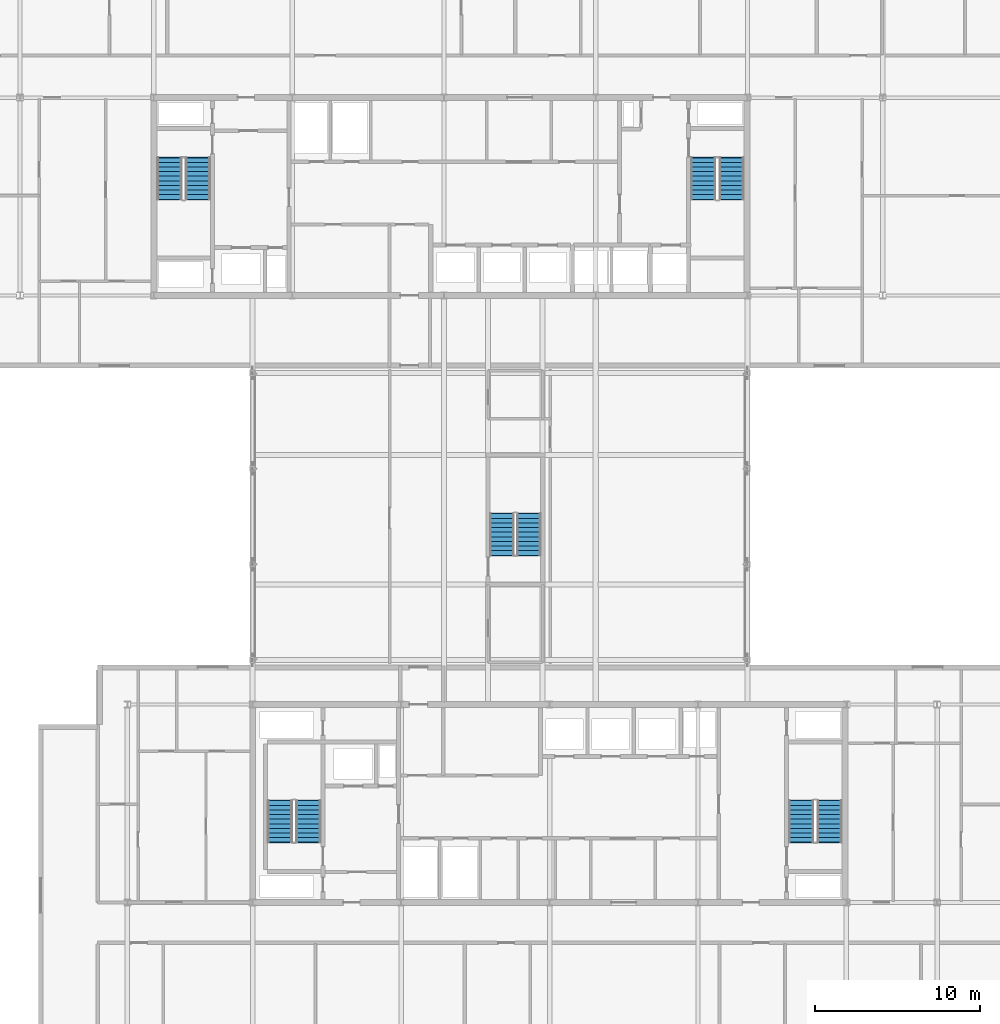
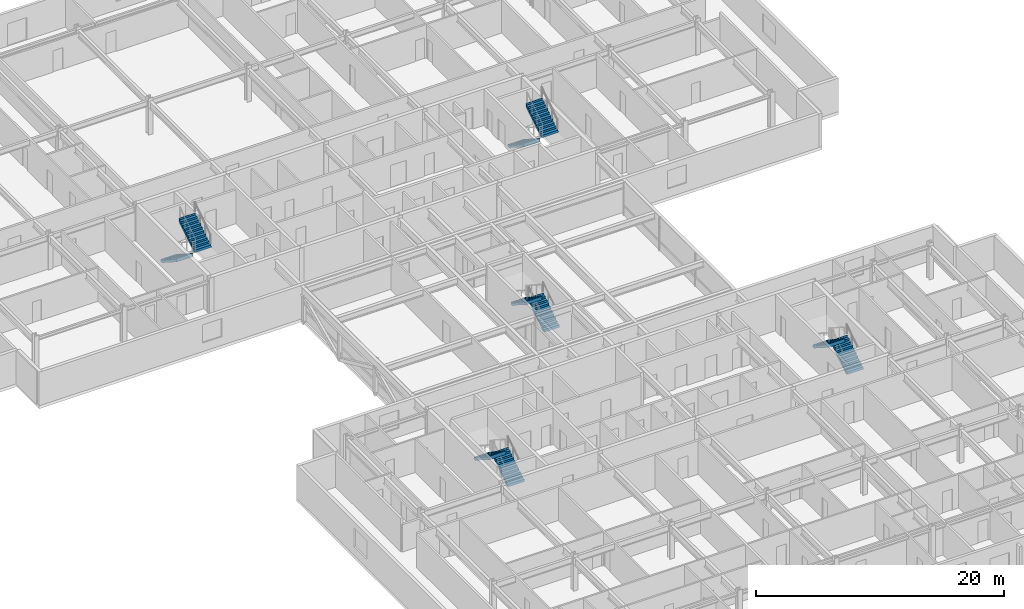
# One storey, part 30 of 36: 10 stair flights, 5 elements without a shape of their own.
"""IFC4 building model written with IfcOpenShell, lengths in metres."""

from ifc_helpers import new_model, si_unit, direction, frame, origin, place, context, subcontext, project, spatial, polyline, outline, extrude, material, type_object, element, aggregate, save


model = new_model("IFC4")

# Units and contexts
model_context = context("Model", 3, precision=1e-05, world=origin(), true_north=direction((0.0, 1.0)))
body_context = subcontext(model_context, "Body", "Model", "MODEL_VIEW")
ifc_project = project(units=[si_unit("LENGTHUNIT", "METRE"), si_unit("AREAUNIT", "SQUARE_METRE"), si_unit("VOLUMEUNIT", "CUBIC_METRE"), si_unit("PLANEANGLEUNIT", "RADIAN"), si_unit("MASSUNIT", "GRAM", prefix="KILO")], contexts=[model_context])

# Site, building, storey
site_placement = place(None, origin())
site = spatial("IfcSite", under=ifc_project, at=site_placement, CompositionType="ELEMENT")
building_placement = place(site_placement, origin())
building = spatial("IfcBuilding", under=site, at=building_placement, Name="Korimba Cascade Residences", CompositionType="ELEMENT")
storey_placement = place(building_placement, frame((0.0, 0.0, 146.5)))
storey = spatial("IfcBuildingStorey", under=building, at=storey_placement, Name="L42", CompositionType="ELEMENT", Elevation=146.5)

# Stair, stair flights
ifc_material = material(Name="Concrete C50/60", Category="concrete")
stair_type_1 = type_object("IfcStairType", Name="STR-BR1-20R-1800", PredefinedType="HALF_TURN_STAIR", material=ifc_material)
stair_1_placement = place(storey_placement, origin())
stair_1 = element("IfcStair", 1, at=stair_1_placement, inside=storey, type_object=stair_type_1, Name="L42 Mid-Bridge Feature Stair ST-BR1", PredefinedType="HALF_TURN_STAIR")
stair_flight_type_1 = type_object("IfcStairFlightType", Name="STF-DL-20R-1800-1430", PredefinedType="STRAIGHT", material=ifc_material)
stair_flight_1_placement = place(storey_placement, frame((98.844970703125, 39.449951171875, 0.0), z_axis=(0.0, 0.0, 1.0), x_axis=(0.0, 1.0, 0.0)))
stair_flight_1 = element("IfcStairFlight", 2, at=stair_flight_1_placement, type_object=stair_flight_type_1, Name="ST-BR1 flight 1", NumberOfRisers=10, NumberOfTreads=9, PredefinedType="STRAIGHT", RiserHeight=0.18, TreadLength=0.28, context=body_context, shape_type="SweptSolid", body=[
    extrude(outline(polyline([(-0.0380859375, 0.0), (0.0, 0.179931640625), (0.280029296875, 0.179931640625), (0.280029296875, 0.360107421875), (0.56005859375, 0.360107421875), (0.56005859375, 0.5400390625), (0.840087890625, 0.5400390625), (0.840087890625, 0.719970703125), (1.1201171875, 0.719970703125), (1.1201171875, 0.89990234375), (1.39990234375, 0.89990234375), (1.39990234375, 1.080078125), (1.679931640625, 1.080078125), (1.679931640625, 1.260009765625), (1.9599609375, 1.260009765625), (1.9599609375, 1.43994140625), (2.239990234375, 1.43994140625), (2.239990234375, 1.6201171875), (2.52001953125, 1.6201171875), (2.52001953125, 1.800048828125), (2.55810546875, 1.800048828125), (2.55810546875, 1.44189453125), (0.277099609375, 0.0), (0.277099609375, -0.0380859375), (-0.0380859375, -0.0380859375), (-0.0380859375, 0.0)])), frame((0.0, 0.71484375, 0.0), z_axis=(0.0, -1.0, 0.0), x_axis=(1.0, 0.0, 0.0)), (0.0, 0.0, 1.0), 1.429931640625),
])
stair_flight_2_placement = place(storey_placement, frame((97.215087890625, 41.969970703125, 1.800048828125), z_axis=(0.0, 0.0, 1.0), x_axis=(0.0, -1.0, 0.0)))
stair_flight_2 = element("IfcStairFlight", 3, at=stair_flight_2_placement, type_object=stair_flight_type_1, Name="ST-BR1 flight 2", NumberOfRisers=10, NumberOfTreads=9, PredefinedType="STRAIGHT", RiserHeight=0.18, TreadLength=0.28, context=body_context, shape_type="SweptSolid", body=[
    extrude(outline(polyline([(-0.0380859375, 0.0), (0.0, 0.179931640625), (0.280029296875, 0.179931640625), (0.280029296875, 0.360107421875), (0.56005859375, 0.360107421875), (0.56005859375, 0.5400390625), (0.840087890625, 0.5400390625), (0.840087890625, 0.719970703125), (1.1201171875, 0.719970703125), (1.1201171875, 0.89990234375), (1.39990234375, 0.89990234375), (1.39990234375, 1.080078125), (1.679931640625, 1.080078125), (1.679931640625, 1.260009765625), (1.9599609375, 1.260009765625), (1.9599609375, 1.43994140625), (2.239990234375, 1.43994140625), (2.239990234375, 1.6201171875), (2.52001953125, 1.6201171875), (2.52001953125, 1.800048828125), (2.55810546875, 1.800048828125), (2.55810546875, 1.44189453125), (0.277099609375, 0.0), (0.277099609375, -0.0380859375), (-0.0380859375, -0.0380859375), (-0.0380859375, 0.0)])), frame((0.0, 0.71484375, 0.0), z_axis=(0.0, -1.0, 0.0), x_axis=(1.0, 0.0, 0.0)), (0.0, 0.0, 1.0), 1.429931640625),
])
aggregate(stair_1, [stair_flight_1, stair_flight_2])

stair_type_2 = type_object("IfcStairType", Name="STR-W1-20R-1800", PredefinedType="HALF_TURN_STAIR", material=ifc_material)
stair_2_placement = place(storey_placement, origin())
stair_2 = element("IfcStair", 4, at=stair_2_placement, inside=storey, type_object=stair_type_2, Name="L42 Tower 1 West Fire Stair ST-W1", PredefinedType="HALF_TURN_STAIR")
stair_flight_type_2 = type_object("IfcStairFlightType", Name="STF-DL-20R-1800-1520", PredefinedType="STRAIGHT", material=ifc_material)
stair_flight_3_placement = place(storey_placement, frame((77.06005859375, 63.550048828125, 0.0), z_axis=(0.0, 0.0, 1.0), x_axis=(0.0, -1.0, 0.0)))
stair_flight_3 = element("IfcStairFlight", 5, at=stair_flight_3_placement, type_object=stair_flight_type_2, Name="ST-W1 flight 1", NumberOfRisers=10, NumberOfTreads=9, PredefinedType="STRAIGHT", RiserHeight=0.18, TreadLength=0.28, context=body_context, shape_type="SweptSolid", body=[
    extrude(outline(polyline([(-0.0380859375, 0.0), (0.0, 0.179931640625), (0.280029296875, 0.179931640625), (0.280029296875, 0.360107421875), (0.56005859375, 0.360107421875), (0.56005859375, 0.5400390625), (0.840087890625, 0.5400390625), (0.840087890625, 0.719970703125), (1.1201171875, 0.719970703125), (1.1201171875, 0.89990234375), (1.39990234375, 0.89990234375), (1.39990234375, 1.080078125), (1.679931640625, 1.080078125), (1.679931640625, 1.260009765625), (1.9599609375, 1.260009765625), (1.9599609375, 1.43994140625), (2.239990234375, 1.43994140625), (2.239990234375, 1.6201171875), (2.52001953125, 1.6201171875), (2.52001953125, 1.800048828125), (2.55810546875, 1.800048828125), (2.55810546875, 1.44189453125), (0.277099609375, 0.0), (0.277099609375, -0.0380859375), (-0.0380859375, -0.0380859375), (-0.0380859375, 0.0)])), frame((0.0, 0.760009765625, 0.0), z_axis=(0.0, -1.0, 0.0), x_axis=(1.0, 0.0, 0.0)), (0.0, 0.0, 1.0), 1.52001953125),
])
stair_flight_4_placement = place(storey_placement, frame((78.780029296875, 61.030029296875, 1.800048828125), z_axis=(0.0, 0.0, 1.0), x_axis=(0.0, 1.0, 0.0)))
stair_flight_4 = element("IfcStairFlight", 6, at=stair_flight_4_placement, type_object=stair_flight_type_2, Name="ST-W1 flight 2", NumberOfRisers=10, NumberOfTreads=9, PredefinedType="STRAIGHT", RiserHeight=0.18, TreadLength=0.28, context=body_context, shape_type="SweptSolid", body=[
    extrude(outline(polyline([(-0.0380859375, 0.0), (0.0, 0.179931640625), (0.280029296875, 0.179931640625), (0.280029296875, 0.360107421875), (0.56005859375, 0.360107421875), (0.56005859375, 0.5400390625), (0.840087890625, 0.5400390625), (0.840087890625, 0.719970703125), (1.1201171875, 0.719970703125), (1.1201171875, 0.89990234375), (1.39990234375, 0.89990234375), (1.39990234375, 1.080078125), (1.679931640625, 1.080078125), (1.679931640625, 1.260009765625), (1.9599609375, 1.260009765625), (1.9599609375, 1.43994140625), (2.239990234375, 1.43994140625), (2.239990234375, 1.6201171875), (2.52001953125, 1.6201171875), (2.52001953125, 1.800048828125), (2.55810546875, 1.800048828125), (2.55810546875, 1.44189453125), (0.277099609375, 0.0), (0.277099609375, -0.0380859375), (-0.0380859375, -0.0380859375), (-0.0380859375, 0.0)])), frame((0.0, 0.760009765625, 0.0), z_axis=(0.0, -1.0, 0.0), x_axis=(1.0, 0.0, 0.0)), (0.0, 0.0, 1.0), 1.52001953125),
])
aggregate(stair_2, [stair_flight_3, stair_flight_4])

stair_type_3 = type_object("IfcStairType", Name="STR-W2-20R-1800", PredefinedType="HALF_TURN_STAIR", material=ifc_material)
stair_3_placement = place(storey_placement, origin())
stair_3 = element("IfcStair", 7, at=stair_3_placement, inside=storey, type_object=stair_type_3, Name="L42 Tower 1 East Fire Stair ST-W2", PredefinedType="HALF_TURN_STAIR")
stair_flight_5_placement = place(storey_placement, frame((109.419921875, 63.550048828125, 0.0), z_axis=(0.0, 0.0, 1.0), x_axis=(0.0, -1.0, 0.0)))
stair_flight_5 = element("IfcStairFlight", 8, at=stair_flight_5_placement, type_object=stair_flight_type_2, Name="ST-W2 flight 1", NumberOfRisers=10, NumberOfTreads=9, PredefinedType="STRAIGHT", RiserHeight=0.18, TreadLength=0.28, context=body_context, shape_type="SweptSolid", body=[
    extrude(outline(polyline([(-0.0380859375, 0.0), (0.0, 0.179931640625), (0.280029296875, 0.179931640625), (0.280029296875, 0.360107421875), (0.56005859375, 0.360107421875), (0.56005859375, 0.5400390625), (0.840087890625, 0.5400390625), (0.840087890625, 0.719970703125), (1.1201171875, 0.719970703125), (1.1201171875, 0.89990234375), (1.39990234375, 0.89990234375), (1.39990234375, 1.080078125), (1.679931640625, 1.080078125), (1.679931640625, 1.260009765625), (1.9599609375, 1.260009765625), (1.9599609375, 1.43994140625), (2.239990234375, 1.43994140625), (2.239990234375, 1.6201171875), (2.52001953125, 1.6201171875), (2.52001953125, 1.800048828125), (2.55810546875, 1.800048828125), (2.55810546875, 1.44189453125), (0.277099609375, 0.0), (0.277099609375, -0.0380859375), (-0.0380859375, -0.0380859375), (-0.0380859375, 0.0)])), frame((0.0, 0.760009765625, 0.0), z_axis=(0.0, -1.0, 0.0), x_axis=(1.0, 0.0, 0.0)), (0.0, 0.0, 1.0), 1.52001953125),
])
stair_flight_6_placement = place(storey_placement, frame((111.139892578125, 61.030029296875, 1.800048828125), z_axis=(0.0, 0.0, 1.0), x_axis=(0.0, 1.0, 0.0)))
stair_flight_6 = element("IfcStairFlight", 9, at=stair_flight_6_placement, type_object=stair_flight_type_2, Name="ST-W2 flight 2", NumberOfRisers=10, NumberOfTreads=9, PredefinedType="STRAIGHT", RiserHeight=0.18, TreadLength=0.28, context=body_context, shape_type="SweptSolid", body=[
    extrude(outline(polyline([(-0.0380859375, 0.0), (0.0, 0.179931640625), (0.280029296875, 0.179931640625), (0.280029296875, 0.360107421875), (0.56005859375, 0.360107421875), (0.56005859375, 0.5400390625), (0.840087890625, 0.5400390625), (0.840087890625, 0.719970703125), (1.1201171875, 0.719970703125), (1.1201171875, 0.89990234375), (1.39990234375, 0.89990234375), (1.39990234375, 1.080078125), (1.679931640625, 1.080078125), (1.679931640625, 1.260009765625), (1.9599609375, 1.260009765625), (1.9599609375, 1.43994140625), (2.239990234375, 1.43994140625), (2.239990234375, 1.6201171875), (2.52001953125, 1.6201171875), (2.52001953125, 1.800048828125), (2.55810546875, 1.800048828125), (2.55810546875, 1.44189453125), (0.277099609375, 0.0), (0.277099609375, -0.0380859375), (-0.0380859375, -0.0380859375), (-0.0380859375, 0.0)])), frame((0.0, 0.760009765625, 0.0), z_axis=(0.0, -1.0, 0.0), x_axis=(1.0, 0.0, 0.0)), (0.0, 0.0, 1.0), 1.52001953125),
])
aggregate(stair_3, [stair_flight_5, stair_flight_6])

stair_type_4 = type_object("IfcStairType", Name="STR-E1-20R-1800", PredefinedType="HALF_TURN_STAIR", material=ifc_material)
stair_4_placement = place(storey_placement, origin())
stair_4 = element("IfcStair", 10, at=stair_4_placement, inside=storey, type_object=stair_type_4, Name="L42 Tower 2 West Fire Stair ST-E1", PredefinedType="HALF_TURN_STAIR")
stair_flight_7_placement = place(storey_placement, frame((85.47998046875, 22.050048828125, 0.0), z_axis=(0.0, 0.0, 1.0), x_axis=(0.0, 1.0, 0.0)))
stair_flight_7 = element("IfcStairFlight", 11, at=stair_flight_7_placement, type_object=stair_flight_type_2, Name="ST-E1 flight 1", NumberOfRisers=10, NumberOfTreads=9, PredefinedType="STRAIGHT", RiserHeight=0.18, TreadLength=0.28, context=body_context, shape_type="SweptSolid", body=[
    extrude(outline(polyline([(-0.0380859375, 0.0), (0.0, 0.179931640625), (0.280029296875, 0.179931640625), (0.280029296875, 0.360107421875), (0.56005859375, 0.360107421875), (0.56005859375, 0.5400390625), (0.840087890625, 0.5400390625), (0.840087890625, 0.719970703125), (1.1201171875, 0.719970703125), (1.1201171875, 0.89990234375), (1.39990234375, 0.89990234375), (1.39990234375, 1.080078125), (1.679931640625, 1.080078125), (1.679931640625, 1.260009765625), (1.9599609375, 1.260009765625), (1.9599609375, 1.43994140625), (2.239990234375, 1.43994140625), (2.239990234375, 1.6201171875), (2.52001953125, 1.6201171875), (2.52001953125, 1.800048828125), (2.55810546875, 1.800048828125), (2.55810546875, 1.44189453125), (0.277099609375, 0.0), (0.277099609375, -0.0380859375), (-0.0380859375, -0.0380859375), (-0.0380859375, 0.0)])), frame((0.0, 0.760009765625, 0.0), z_axis=(0.0, -1.0, 0.0), x_axis=(1.0, 0.0, 0.0)), (0.0, 0.0, 1.0), 1.52001953125),
])
stair_flight_8_placement = place(storey_placement, frame((83.760009765625, 24.570068359375, 1.800048828125), z_axis=(0.0, 0.0, 1.0), x_axis=(0.0, -1.0, 0.0)))
stair_flight_8 = element("IfcStairFlight", 12, at=stair_flight_8_placement, type_object=stair_flight_type_2, Name="ST-E1 flight 2", NumberOfRisers=10, NumberOfTreads=9, PredefinedType="STRAIGHT", RiserHeight=0.18, TreadLength=0.28, context=body_context, shape_type="SweptSolid", body=[
    extrude(outline(polyline([(-0.0380859375, 0.0), (0.0, 0.179931640625), (0.280029296875, 0.179931640625), (0.280029296875, 0.360107421875), (0.56005859375, 0.360107421875), (0.56005859375, 0.5400390625), (0.840087890625, 0.5400390625), (0.840087890625, 0.719970703125), (1.1201171875, 0.719970703125), (1.1201171875, 0.89990234375), (1.39990234375, 0.89990234375), (1.39990234375, 1.080078125), (1.679931640625, 1.080078125), (1.679931640625, 1.260009765625), (1.9599609375, 1.260009765625), (1.9599609375, 1.43994140625), (2.239990234375, 1.43994140625), (2.239990234375, 1.6201171875), (2.52001953125, 1.6201171875), (2.52001953125, 1.800048828125), (2.55810546875, 1.800048828125), (2.55810546875, 1.44189453125), (0.277099609375, 0.0), (0.277099609375, -0.0380859375), (-0.0380859375, -0.0380859375), (-0.0380859375, 0.0)])), frame((0.0, 0.760009765625, 0.0), z_axis=(0.0, -1.0, 0.0), x_axis=(1.0, 0.0, 0.0)), (0.0, 0.0, 1.0), 1.52001953125),
])
aggregate(stair_4, [stair_flight_7, stair_flight_8])

stair_type_5 = type_object("IfcStairType", Name="STR-E2-20R-1800", PredefinedType="HALF_TURN_STAIR", material=ifc_material)
stair_5_placement = place(storey_placement, origin())
stair_5 = element("IfcStair", 13, at=stair_5_placement, inside=storey, type_object=stair_type_5, Name="L42 Tower 2 East Fire Stair ST-E2", PredefinedType="HALF_TURN_STAIR")
stair_flight_9_placement = place(storey_placement, frame((117.080078125, 22.050048828125, 0.0), z_axis=(0.0, 0.0, 1.0), x_axis=(0.0, 1.0, 0.0)))
stair_flight_9 = element("IfcStairFlight", 14, at=stair_flight_9_placement, type_object=stair_flight_type_2, Name="ST-E2 flight 1", NumberOfRisers=10, NumberOfTreads=9, PredefinedType="STRAIGHT", RiserHeight=0.18, TreadLength=0.28, context=body_context, shape_type="SweptSolid", body=[
    extrude(outline(polyline([(-0.0380859375, 0.0), (0.0, 0.179931640625), (0.280029296875, 0.179931640625), (0.280029296875, 0.360107421875), (0.56005859375, 0.360107421875), (0.56005859375, 0.5400390625), (0.840087890625, 0.5400390625), (0.840087890625, 0.719970703125), (1.1201171875, 0.719970703125), (1.1201171875, 0.89990234375), (1.39990234375, 0.89990234375), (1.39990234375, 1.080078125), (1.679931640625, 1.080078125), (1.679931640625, 1.260009765625), (1.9599609375, 1.260009765625), (1.9599609375, 1.43994140625), (2.239990234375, 1.43994140625), (2.239990234375, 1.6201171875), (2.52001953125, 1.6201171875), (2.52001953125, 1.800048828125), (2.55810546875, 1.800048828125), (2.55810546875, 1.44189453125), (0.277099609375, 0.0), (0.277099609375, -0.0380859375), (-0.0380859375, -0.0380859375), (-0.0380859375, 0.0)])), frame((0.0, 0.760009765625, 0.0), z_axis=(0.0, -1.0, 0.0), x_axis=(1.0, 0.0, 0.0)), (0.0, 0.0, 1.0), 1.52001953125),
])
stair_flight_10_placement = place(storey_placement, frame((115.360107421875, 24.570068359375, 1.800048828125), z_axis=(0.0, 0.0, 1.0), x_axis=(0.0, -1.0, 0.0)))
stair_flight_10 = element("IfcStairFlight", 15, at=stair_flight_10_placement, type_object=stair_flight_type_2, Name="ST-E2 flight 2", NumberOfRisers=10, NumberOfTreads=9, PredefinedType="STRAIGHT", RiserHeight=0.18, TreadLength=0.28, context=body_context, shape_type="SweptSolid", body=[
    extrude(outline(polyline([(-0.0380859375, 0.0), (0.0, 0.179931640625), (0.280029296875, 0.179931640625), (0.280029296875, 0.360107421875), (0.56005859375, 0.360107421875), (0.56005859375, 0.5400390625), (0.840087890625, 0.5400390625), (0.840087890625, 0.719970703125), (1.1201171875, 0.719970703125), (1.1201171875, 0.89990234375), (1.39990234375, 0.89990234375), (1.39990234375, 1.080078125), (1.679931640625, 1.080078125), (1.679931640625, 1.260009765625), (1.9599609375, 1.260009765625), (1.9599609375, 1.43994140625), (2.239990234375, 1.43994140625), (2.239990234375, 1.6201171875), (2.52001953125, 1.6201171875), (2.52001953125, 1.800048828125), (2.55810546875, 1.800048828125), (2.55810546875, 1.44189453125), (0.277099609375, 0.0), (0.277099609375, -0.0380859375), (-0.0380859375, -0.0380859375), (-0.0380859375, 0.0)])), frame((0.0, 0.760009765625, 0.0), z_axis=(0.0, -1.0, 0.0), x_axis=(1.0, 0.0, 0.0)), (0.0, 0.0, 1.0), 1.52001953125),
])
aggregate(stair_5, [stair_flight_9, stair_flight_10])

save(model, "model.ifc")
